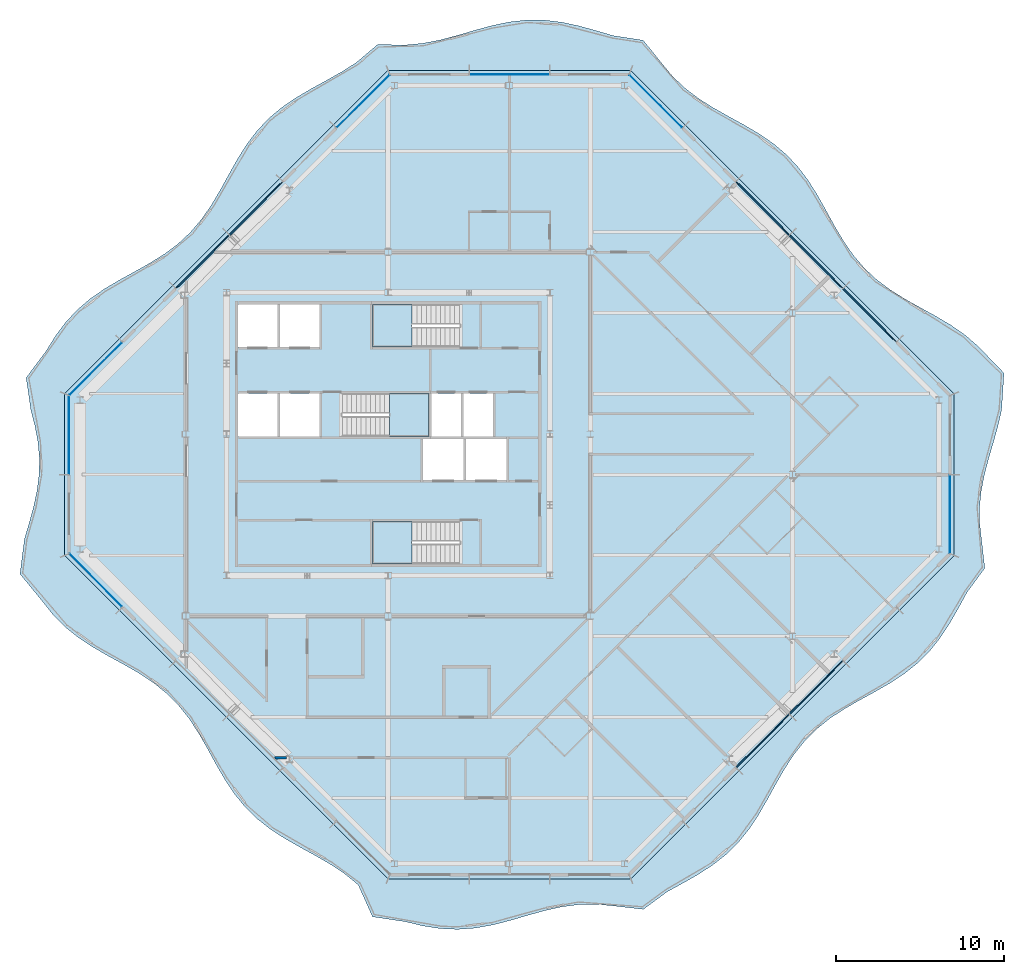
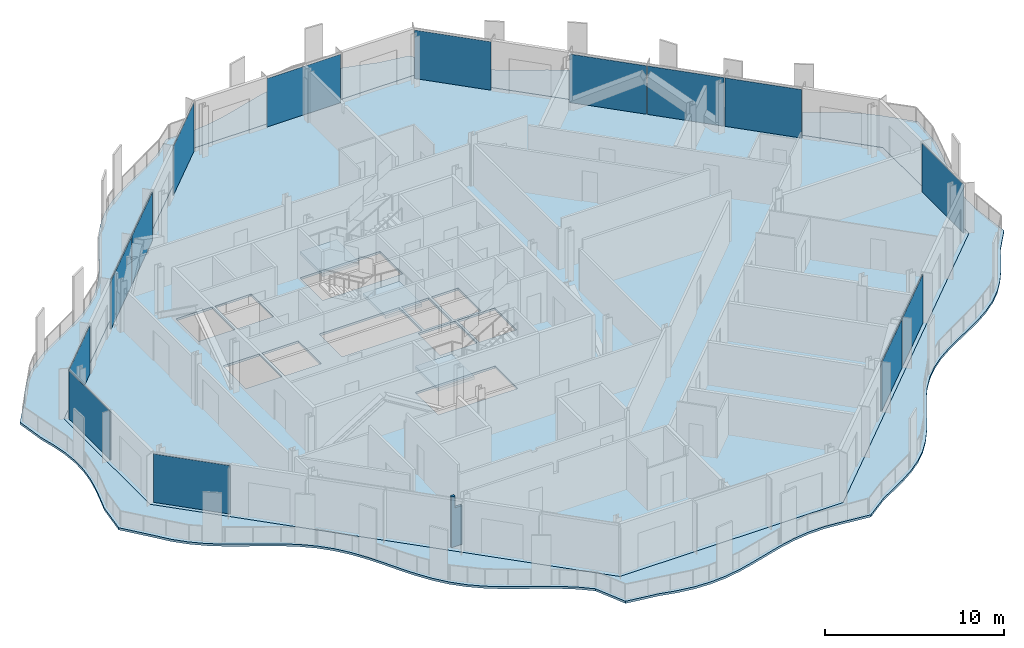
# One storey, part 6 of 17: 14 plates, 5 slabs, 1 wall, 10 elements without a shape of their own.
"""IFC4 building model written with IfcOpenShell, lengths in metres."""

from ifc_helpers import new_model, si_unit, direction, frame, origin, origin_2d, place, context, subcontext, project, spatial, polyline, rectangle, outline, extrude, material, layer, layer_set, type_object, element, aggregate, save


model = new_model("IFC4")

# Units and contexts
model_context = context("Model", 3, precision=1e-05, world=origin(), true_north=direction((0.0, 1.0)))
body_context = subcontext(model_context, "Body", "Model", "MODEL_VIEW")
ifc_project = project(units=[si_unit("LENGTHUNIT", "METRE"), si_unit("AREAUNIT", "SQUARE_METRE"), si_unit("VOLUMEUNIT", "CUBIC_METRE"), si_unit("PLANEANGLEUNIT", "RADIAN"), si_unit("MASSUNIT", "GRAM", prefix="KILO")], contexts=[model_context])

# Site, building, storey
site_placement = place(None, origin())
site = spatial("IfcSite", under=ifc_project, at=site_placement, CompositionType="ELEMENT")
building_placement = place(site_placement, origin())
building = spatial("IfcBuilding", under=site, at=building_placement, Name="Cairn Pilgrim Tower", CompositionType="ELEMENT")
storey_placement = place(building_placement, frame((0.0, 0.0, 281.39990234375)))
storey = spatial("IfcBuildingStorey", under=building, at=storey_placement, Name="L72", CompositionType="ELEMENT", Elevation=281.39990234375)

# Slabs
ifc_material_1 = material(Name="Concrete C35/45", Category="concrete")
ifc_layer_1 = layer(ifc_material_1, 0.14990234375)
ifc_layer_set_1 = layer_set([ifc_layer_1], Name="BALCONY SLAB 150 CONCRETE C35/45")
slab_type_1 = type_object("IfcSlabType", Name="BALCONY SLAB 150 CONCRETE C35/45", PredefinedType="FLOOR", material=ifc_layer_set_1)
slab_1_placement = place(storey_placement, frame((0.0, 0.0, -0.14990234375)))
element("IfcSlab", 1, at=slab_1_placement, inside=storey, type_object=slab_type_1, Name="Balcony slab BS-1", PredefinedType="FLOOR", context=body_context, shape_type="SweptSolid", body=[
    extrude(outline(polyline([(5.421875, -24.35595703125), (6.26806640625, -26.25), (8.228515625, -26.544677734375), (9.257080078125, -26.7919921875), (10.28564453125, -26.9521484375), (11.314208984375, -26.999267578125), (12.3427734375, -26.92578125), (13.371337890625, -26.743408203125), (14.39990234375, -26.481689453125), (15.428466796875, -26.182861328125), (16.45703125, -25.89453125), (17.485595703125, -25.66357421875), (18.514404296875, -25.527099609375), (19.54296875, -25.5068359375), (20.571533203125, -25.606201171875), (22.349365234375, -25.80908203125), (23.779541015625, -24.75732421875), (24.698486328125, -24.254150390625), (25.6044921875, -23.73779296875), (26.46728515625, -23.178466796875), (27.263671875, -22.552490234375), (27.980224609375, -21.846923828125), (28.61669921875, -21.06103515625), (29.183837890625, -20.2060546875), (29.704345703125, -19.304443359375), (30.20751953125, -18.38525390625), (30.72509765625, -17.480712890625), (31.287109375, -16.620361328125), (31.91650390625, -15.827392578125), (32.62548828125, -15.114501953125), (33.4150390625, -14.481689453125), (34.2724609375, -13.9169921875), (35.175537109375, -13.39794921875), (36.0947265625, -12.894775390625), (36.998046875, -12.375732421875), (37.855712890625, -11.811279296875), (38.645263671875, -11.178466796875), (39.3544921875, -10.465576171875), (39.98388671875, -9.6728515625), (40.546142578125, -8.812744140625), (41.063720703125, -7.908203125), (41.56689453125, -6.989013671875), (42.620361328125, -5.553955078125), (42.42431640625, -3.840087890625), (42.31591796875, -2.8798828125), (42.310791015625, -1.919921875), (42.409423828125, -0.9599609375), (42.597900390625, 0.0), (42.85009765625, 0.9599609375), (43.130126953125, 1.919921875), (43.399169921875, 2.8798828125), (43.618896484375, 3.840087890625), (43.7587890625, 6.025634765625), (42.209228515625, 7.63134765625), (41.444580078125, 8.2890625), (40.60693359375, 8.87353515625), (39.71533203125, 9.404052734375), (38.797607421875, 9.908935546875), (37.885986328125, 10.41943359375), (37.010986328125, 10.966552734375), (36.19775390625, 11.57568359375), (35.46240234375, 12.262451171875), (34.808349609375, 13.030517578125), (34.226806640625, 13.87109375), (33.697998046875, 14.7646484375), (33.193603515625, 15.6826171875), (32.68212890625, 16.59326171875), (32.132568359375, 17.466064453125), (31.520263671875, 18.27587890625), (30.829833984375, 19.007568359375), (30.05810546875, 19.658203125), (29.214599609375, 20.23681640625), (28.319580078125, 20.763916015625), (27.401123046875, 21.267822265625), (26.491455078125, 21.780517578125), (25.62109375, 22.332275390625), (24.814453125, 22.94775390625), (24.08642578125, 23.64208984375), (23.439453125, 24.417236328125), (22.340087890625, 25.787109375), (20.571533203125, 26.05615234375), (19.54296875, 26.3564453125), (18.514404296875, 26.6396484375), (17.485595703125, 26.860107421875), (16.45703125, 26.982421875), (15.428466796875, 26.98681640625), (14.39990234375, 26.87255859375), (13.371337890625, 26.658203125), (12.3427734375, 26.378173828125), (11.314208984375, 26.077392578125), (10.28564453125, 25.804443359375), (9.257080078125, 25.60302734375), (8.228515625, 25.506103515625), (6.56689453125, 25.528564453125), (5.31298828125, 24.46484375), (4.44287109375, 23.912841796875), (3.533203125, 23.400146484375), (2.614990234375, 22.896240234375), (1.719482421875, 22.369384765625), (0.875732421875, 21.791015625), (0.103515625, 21.140869140625), (-0.58740234375, 20.409423828125), (-1.199951171875, 19.60009765625), (-1.749755859375, 18.7275390625), (-2.261474609375, 17.81689453125), (-2.765625, 16.89892578125), (-3.294189453125, 16.00537109375), (-3.87548828125, 15.164306640625), (-4.529052734375, 14.395751953125), (-5.26416015625, 13.70849609375), (-6.076904296875, 13.09912109375), (-6.95166015625, 12.5517578125), (-7.86328125, 12.041015625), (-8.78076171875, 11.536376953125), (-9.672607421875, 11.005859375), (-10.5107421875, 10.421875), (-11.27587890625, 9.7646484375), (-11.959228515625, 9.02587890625), (-12.565673828125, 8.2099609375), (-13.11083984375, 7.3330078125), (-14.29150390625, 5.749267578125), (-14.012939453125, 3.840087890625), (-13.767822265625, 2.8798828125), (-13.590087890625, 1.919921875), (-13.505126953125, 0.9599609375), (-13.52490234375, 0.0), (-13.646484375, -0.9599609375), (-13.852783203125, -1.919921875), (-14.114990234375, -2.8798828125), (-14.39599609375, -3.840087890625), (-14.656494140625, -5.900390625), (-13.316650390625, -7.538818359375), (-12.687744140625, -8.33203125), (-11.978759765625, -9.04541015625), (-11.189697265625, -9.678466796875), (-10.332275390625, -10.243408203125), (-9.42919921875, -10.7626953125), (-8.510009765625, -11.265625), (-7.606689453125, -11.78466796875), (-6.7490234375, -12.348876953125), (-5.959228515625, -12.9814453125), (-5.24951171875, -13.69384765625), (-4.619873046875, -14.486572265625), (-4.0576171875, -15.346435546875), (-3.539794921875, -16.250732421875), (-3.03662109375, -17.169921875), (-2.516357421875, -18.07177734375), (-1.94921875, -18.927001953125), (-1.3134765625, -19.71337890625), (-0.59716796875, -20.41943359375), (0.19873046875, -21.045654296875), (1.061279296875, -21.60546875), (1.967041015625, -22.121826171875), (2.88623046875, -22.625), (3.786376953125, -23.146728515625), (4.638916015625, -23.716552734375), (5.421875, -24.35595703125)]), holes=[polyline([(21.60009765625, -24.0), (7.199951171875, -24.0), (-12.0, -4.800048828125), (-12.0, 4.800048828125), (7.199951171875, 24.0), (21.60009765625, 24.0), (40.800048828125, 4.800048828125), (40.800048828125, -4.800048828125), (21.60009765625, -24.0)])]), origin(), (0.0, 0.0, 1.0), 0.14990234375),
])
ifc_layer_2 = layer(ifc_material_1, 0.14990234375)
ifc_layer_set_2 = layer_set([ifc_layer_2], Name="COMPOSITE FLOOR SLAB 150")
slab_type_2 = type_object("IfcSlabType", Name="COMPOSITE FLOOR SLAB 150", PredefinedType="FLOOR", material=ifc_layer_set_2)
slab_2_placement = place(storey_placement, frame((0.0, 0.0, -0.14990234375)))
element("IfcSlab", 2, at=slab_2_placement, inside=storey, type_object=slab_type_2, Name="FLOOR SLAB L72", PredefinedType="FLOOR", context=body_context, shape_type="SweptSolid", body=[
    extrude(outline(polyline([(7.199951171875, -24.0), (21.60009765625, -24.0), (40.800048828125, -4.800048828125), (40.800048828125, 4.800048828125), (21.60009765625, 24.0), (7.199951171875, 24.0), (-12.0, 4.800048828125), (-12.0, -4.800048828125), (7.199951171875, -24.0)]), holes=[polyline([(9.27490234375, -0.324951171875), (11.675048828125, -0.324951171875), (11.675048828125, 2.125), (9.27490234375, 2.125), (9.27490234375, -0.324951171875)]), polyline([(11.824951171875, -0.324951171875), (14.22509765625, -0.324951171875), (14.22509765625, 2.125), (11.824951171875, 2.125), (11.824951171875, -0.324951171875)]), polyline([(-1.72509765625, 2.27490234375), (0.625, 2.27490234375), (0.625, 4.824951171875), (-1.72509765625, 4.824951171875), (-1.72509765625, 2.27490234375)]), polyline([(0.77490234375, 2.27490234375), (3.125, 2.27490234375), (3.125, 4.824951171875), (0.77490234375, 4.824951171875), (0.77490234375, 2.27490234375)]), polyline([(-1.72509765625, 7.574951171875), (0.625, 7.574951171875), (0.625, 10.10009765625), (-1.72509765625, 10.10009765625), (-1.72509765625, 7.574951171875)]), polyline([(0.77490234375, 7.574951171875), (3.125, 7.574951171875), (3.125, 10.10009765625), (0.77490234375, 10.10009765625), (0.77490234375, 7.574951171875)]), polyline([(9.77490234375, 2.27490234375), (11.52490234375, 2.27490234375), (11.52490234375, 4.824951171875), (9.77490234375, 4.824951171875), (9.77490234375, 2.27490234375)]), polyline([(11.675048828125, 2.27490234375), (13.425048828125, 2.27490234375), (13.425048828125, 4.824951171875), (11.675048828125, 4.824951171875), (11.675048828125, 2.27490234375)]), polyline([(11.424560546875, -2.77490234375), (6.27490234375, -2.77490234375), (6.27490234375, -5.300048828125), (11.424560546875, -5.300048828125), (11.424560546875, -2.77490234375)]), polyline([(4.4755859375, 2.27490234375), (9.625, 2.27490234375), (9.625, 4.824951171875), (4.4755859375, 4.824951171875), (4.4755859375, 2.27490234375)]), polyline([(11.424560546875, 10.10009765625), (6.27490234375, 10.10009765625), (6.27490234375, 7.574951171875), (11.424560546875, 7.574951171875), (11.424560546875, 10.10009765625)])]), origin(), (0.0, 0.0, 1.0), 0.14990234375),
])

# Curtain wall, plates
ifc_material_2 = material(Name="Aluminium alloy 6063-T6 bronze anodised with Bronze tinted laminated low-E glass 8+16+8.8", Category="aluminium")
curtain_wall_type = type_object("IfcCurtainWallType", Name="CROWN CURTAIN WALL", PredefinedType="NOTDEFINED", material=ifc_material_2)
curtain_wall_1_placement = place(storey_placement, origin())
curtain_wall_1 = element("IfcCurtainWall", 3, at=curtain_wall_1_placement, inside=storey, type_object=curtain_wall_type, Name="Crown Curtain Wall SE", PredefinedType="NOTDEFINED")
ifc_material_3 = material(Name="Bronze anodised aluminium spandrel panel with mineral wool insulation", Category="aluminium")
ifc_layer_3 = layer(ifc_material_3, 0.06005859375)
ifc_layer_set_3 = layer_set([ifc_layer_3], Name="SPANDREL PANEL 4431x3300")
plate_type_1 = type_object("IfcPlateType", Name="SPANDREL PANEL 4431x3300", PredefinedType="CURTAIN_PANEL", material=ifc_layer_set_3)
plate_1_placement = place(storey_placement, frame((29.435546875, -15.81103515625, 0.0), z_axis=(0.0, 0.0, 1.0), x_axis=(0.707106781187, 0.707106781187, 0.0)))
plate_1 = element("IfcPlate", 4, at=plate_1_placement, type_object=plate_type_1, Name="Spandrel Panel SE3-1", PredefinedType="CURTAIN_PANEL", context=body_context, shape_type="SweptSolid", body=[
    extrude(rectangle(XDim=4.430908203125, YDim=0.06005859375, at=origin_2d()), origin(), (0.0, 0.0, 1.0), 3.300048828125),
])
plate_2_placement = place(storey_placement, frame((32.611083984375, -12.635498046875, 0.0), z_axis=(0.0, 0.0, 1.0), x_axis=(0.707106781187, 0.707106781187, 0.0)))
plate_2 = element("IfcPlate", 5, at=plate_2_placement, type_object=plate_type_1, Name="Spandrel Panel SE4-1", PredefinedType="CURTAIN_PANEL", context=body_context, shape_type="SweptSolid", body=[
    extrude(rectangle(XDim=4.430908203125, YDim=0.06005859375, at=origin_2d()), origin(), (0.0, 0.0, 1.0), 3.300048828125),
])
aggregate(curtain_wall_1, [plate_1, plate_2])

curtain_wall_2_placement = place(storey_placement, origin())
curtain_wall_2 = element("IfcCurtainWall", 6, at=curtain_wall_2_placement, inside=storey, type_object=curtain_wall_type, Name="Crown Curtain Wall NE", PredefinedType="NOTDEFINED")
plate_3_placement = place(storey_placement, frame((35.78662109375, 9.459716796875, 0.0), z_axis=(0.0, 0.0, 1.0), x_axis=(-0.707106781187, 0.707106781187, 0.0)))
plate_3 = element("IfcPlate", 7, at=plate_3_placement, type_object=plate_type_1, Name="Spandrel Panel NE2-1", PredefinedType="CURTAIN_PANEL", context=body_context, shape_type="SweptSolid", body=[
    extrude(rectangle(XDim=4.430908203125, YDim=0.06005859375, at=origin_2d()), origin(), (0.0, 0.0, 1.0), 3.300048828125),
])
plate_4_placement = place(storey_placement, frame((32.611083984375, 12.635498046875, 0.0), z_axis=(0.0, 0.0, 1.0), x_axis=(-0.707106781187, 0.707106781187, 0.0)))
plate_4 = element("IfcPlate", 8, at=plate_4_placement, type_object=plate_type_1, Name="Spandrel Panel NE3-1", PredefinedType="CURTAIN_PANEL", context=body_context, shape_type="SweptSolid", body=[
    extrude(rectangle(XDim=4.430908203125, YDim=0.06005859375, at=origin_2d()), origin(), (0.0, 0.0, 1.0), 3.300048828125),
])
plate_5_placement = place(storey_placement, frame((29.435546875, 15.81103515625, 0.0), z_axis=(0.0, 0.0, 1.0), x_axis=(-0.707106781187, 0.707106781187, 0.0)))
plate_5 = element("IfcPlate", 9, at=plate_5_placement, type_object=plate_type_1, Name="Spandrel Panel NE4-1", PredefinedType="CURTAIN_PANEL", context=body_context, shape_type="SweptSolid", body=[
    extrude(rectangle(XDim=4.430908203125, YDim=0.06005859375, at=origin_2d()), origin(), (0.0, 0.0, 1.0), 3.300048828125),
])

curtain_wall_3_placement = place(storey_placement, origin())
curtain_wall_3 = element("IfcCurtainWall", 10, at=curtain_wall_3_placement, inside=storey, type_object=curtain_wall_type, Name="Crown Curtain Wall NW", PredefinedType="NOTDEFINED")
plate_6_placement = place(storey_placement, frame((-0.635498046875, 15.81103515625, 0.0), z_axis=(0.0, 0.0, 1.0), x_axis=(-0.707106781187, -0.707106781187, 0.0)))
plate_6 = element("IfcPlate", 11, at=plate_6_placement, type_object=plate_type_1, Name="Spandrel Panel NW3-1", PredefinedType="CURTAIN_PANEL", context=body_context, shape_type="SweptSolid", body=[
    extrude(rectangle(XDim=4.430908203125, YDim=0.06005859375, at=origin_2d()), origin(), (0.0, 0.0, 1.0), 3.300048828125),
])
plate_7_placement = place(storey_placement, frame((-3.81103515625, 12.635498046875, 0.0), z_axis=(0.0, 0.0, 1.0), x_axis=(-0.707106781187, -0.707106781187, 0.0)))
plate_7 = element("IfcPlate", 12, at=plate_7_placement, type_object=plate_type_1, Name="Spandrel Panel NW4-1", PredefinedType="CURTAIN_PANEL", context=body_context, shape_type="SweptSolid", body=[
    extrude(rectangle(XDim=4.430908203125, YDim=0.06005859375, at=origin_2d()), origin(), (0.0, 0.0, 1.0), 3.300048828125),
])

# Stair, slab
ifc_material_4 = material(Name="Concrete C32/40", Category="concrete")
stair_type = type_object("IfcStairType", Name="EXIT STAIR 1200", PredefinedType="HALF_TURN_STAIR", material=ifc_material_4)
stair_1_placement = place(storey_placement, origin())
stair_1 = element("IfcStair", 13, at=stair_1_placement, inside=storey, type_object=stair_type, Name="L72 Exit Stair A", PredefinedType="HALF_TURN_STAIR")
ifc_layer_4 = layer(ifc_material_4, 0.199951171875)
ifc_layer_set_4 = layer_set([ifc_layer_4], Name="STAIR LANDING 200")
slab_type_3 = type_object("IfcSlabType", Name="STAIR LANDING 200", PredefinedType="LANDING", material=ifc_layer_set_4)
slab_3_placement = place(storey_placement, frame((0.0, 0.0, 1.60009765625)))
slab_3 = element("IfcSlab", 14, at=slab_3_placement, type_object=slab_type_3, Name="ST-A landing 1", PredefinedType="LANDING", context=body_context, shape_type="SweptSolid", body=[
    extrude(outline(polyline([(8.625, -2.77490234375), (6.27490234375, -2.77490234375), (6.27490234375, -5.300048828125), (8.625, -5.300048828125), (8.625, -2.77490234375)])), origin(), (0.0, 0.0, 1.0), 0.199951171875),
])
aggregate(stair_1, [slab_3])

stair_2_placement = place(storey_placement, origin())
stair_2 = element("IfcStair", 15, at=stair_2_placement, inside=storey, type_object=stair_type, Name="L72 Exit Stair B", PredefinedType="HALF_TURN_STAIR")
slab_4_placement = place(storey_placement, frame((0.0, 0.0, 1.60009765625)))
slab_4 = element("IfcSlab", 16, at=slab_4_placement, type_object=slab_type_3, Name="ST-B landing 1", PredefinedType="LANDING", context=body_context, shape_type="SweptSolid", body=[
    extrude(outline(polyline([(7.27490234375, 2.27490234375), (9.625, 2.27490234375), (9.625, 4.824951171875), (7.27490234375, 4.824951171875), (7.27490234375, 2.27490234375)])), origin(), (0.0, 0.0, 1.0), 0.199951171875),
])
aggregate(stair_2, [slab_4])

stair_3_placement = place(storey_placement, origin())
stair_3 = element("IfcStair", 17, at=stair_3_placement, inside=storey, type_object=stair_type, Name="L72 Exit Stair C", PredefinedType="HALF_TURN_STAIR")
slab_5_placement = place(storey_placement, frame((0.0, 0.0, 1.60009765625)))
slab_5 = element("IfcSlab", 18, at=slab_5_placement, type_object=slab_type_3, Name="ST-C landing 1", PredefinedType="LANDING", context=body_context, shape_type="SweptSolid", body=[
    extrude(outline(polyline([(8.625, 10.10009765625), (6.27490234375, 10.10009765625), (6.27490234375, 7.574951171875), (8.625, 7.574951171875), (8.625, 10.10009765625)])), origin(), (0.0, 0.0, 1.0), 0.199951171875),
])
aggregate(stair_3, [slab_5])

# Plate
ifc_material_5 = material(Name="Bronze tinted laminated low-E glass 8+16+8.8", Category="glass")
ifc_layer_5 = layer(ifc_material_5, 0.033935546875)
ifc_layer_set_5 = layer_set([ifc_layer_5], Name="VISION GLAZING 4421x3300")
plate_type_2 = type_object("IfcPlateType", Name="VISION GLAZING 4421x3300", PredefinedType="CURTAIN_PANEL", material=ifc_layer_set_5)
plate_8_placement = place(storey_placement, frame((23.087890625, 22.15869140625, 0.0), z_axis=(0.0, 0.0, 1.0), x_axis=(-0.707106781187, 0.707106781187, 0.0)))
plate_8 = element("IfcPlate", 19, at=plate_8_placement, type_object=plate_type_2, Name="Vision Glazing NE6-1", PredefinedType="CURTAIN_PANEL", context=body_context, shape_type="SweptSolid", body=[
    extrude(rectangle(XDim=4.4208984375, YDim=0.033935546875, at=origin_2d()), origin(), (0.0, 0.0, 1.0), 3.300048828125),
])

aggregate(curtain_wall_2, [plate_3, plate_4, plate_5, plate_8])

plate_9_placement = place(storey_placement, frame((5.712158203125, 22.15869140625, 0.0), z_axis=(0.0, 0.0, 1.0), x_axis=(-0.707106781187, -0.707106781187, 0.0)))
plate_9 = element("IfcPlate", 20, at=plate_9_placement, type_object=plate_type_2, Name="Vision Glazing NW1-1", PredefinedType="CURTAIN_PANEL", context=body_context, shape_type="SweptSolid", body=[
    extrude(rectangle(XDim=4.4208984375, YDim=0.033935546875, at=origin_2d()), origin(), (0.0, 0.0, 1.0), 3.300048828125),
])

plate_10_placement = place(storey_placement, frame((-10.15869140625, 6.287841796875, 0.0), z_axis=(0.0, 0.0, 1.0), x_axis=(-0.707106781187, -0.707106781187, 0.0)))
plate_10 = element("IfcPlate", 21, at=plate_10_placement, type_object=plate_type_2, Name="Vision Glazing NW6-1", PredefinedType="CURTAIN_PANEL", context=body_context, shape_type="SweptSolid", body=[
    extrude(rectangle(XDim=4.4208984375, YDim=0.033935546875, at=origin_2d()), origin(), (0.0, 0.0, 1.0), 3.300048828125),
])

aggregate(curtain_wall_3, [plate_9, plate_6, plate_7, plate_10])

# Curtain wall, plate
curtain_wall_4_placement = place(storey_placement, origin())
curtain_wall_4 = element("IfcCurtainWall", 22, at=curtain_wall_4_placement, inside=storey, type_object=curtain_wall_type, Name="Crown Curtain Wall SW", PredefinedType="NOTDEFINED")
plate_11_placement = place(storey_placement, frame((-10.15869140625, -6.287841796875, 0.0), z_axis=(0.0, 0.0, 1.0), x_axis=(0.707106781187, -0.707106781187, 0.0)))
plate_11 = element("IfcPlate", 23, at=plate_11_placement, type_object=plate_type_2, Name="Vision Glazing SW1-1", PredefinedType="CURTAIN_PANEL", context=body_context, shape_type="SweptSolid", body=[
    extrude(rectangle(XDim=4.4208984375, YDim=0.033935546875, at=origin_2d()), origin(), (0.0, 0.0, 1.0), 3.300048828125),
])
aggregate(curtain_wall_4, [plate_11])

curtain_wall_5_placement = place(storey_placement, origin())
curtain_wall_5 = element("IfcCurtainWall", 24, at=curtain_wall_5_placement, inside=storey, type_object=curtain_wall_type, Name="Crown Curtain Wall E", PredefinedType="NOTDEFINED")
ifc_layer_6 = layer(ifc_material_5, 0.033935546875)
ifc_layer_set_6 = layer_set([ifc_layer_6], Name="VISION GLAZING 4626x3300")
plate_type_3 = type_object("IfcPlateType", Name="VISION GLAZING 4626x3300", PredefinedType="CURTAIN_PANEL", material=ifc_layer_set_6)
plate_12_placement = place(storey_placement, frame((40.550048828125, -2.34326171875, 0.0), z_axis=(0.0, 0.0, 1.0), x_axis=(0.0, 1.0, 0.0)))
plate_12 = element("IfcPlate", 25, at=plate_12_placement, type_object=plate_type_3, Name="Vision Glazing E1-1", PredefinedType="CURTAIN_PANEL", context=body_context, shape_type="SweptSolid", body=[
    extrude(rectangle(XDim=4.62646484375, YDim=0.033935546875, at=origin_2d()), origin(), (0.0, 0.0, 1.0), 3.300048828125),
])
aggregate(curtain_wall_5, [plate_12])

curtain_wall_6_placement = place(storey_placement, origin())
curtain_wall_6 = element("IfcCurtainWall", 26, at=curtain_wall_6_placement, inside=storey, type_object=curtain_wall_type, Name="Crown Curtain Wall W", PredefinedType="NOTDEFINED")
plate_13_placement = place(storey_placement, frame((-11.75, 2.34326171875, 0.0), z_axis=(0.0, 0.0, 1.0), x_axis=(0.0, -1.0, 0.0)))
plate_13 = element("IfcPlate", 27, at=plate_13_placement, type_object=plate_type_3, Name="Vision Glazing W1-1", PredefinedType="CURTAIN_PANEL", context=body_context, shape_type="SweptSolid", body=[
    extrude(rectangle(XDim=4.62646484375, YDim=0.033935546875, at=origin_2d()), origin(), (0.0, 0.0, 1.0), 3.300048828125),
])
aggregate(curtain_wall_6, [plate_13])

curtain_wall_7_placement = place(storey_placement, origin())
curtain_wall_7 = element("IfcCurtainWall", 28, at=curtain_wall_7_placement, inside=storey, type_object=curtain_wall_type, Name="Crown Curtain Wall N", PredefinedType="NOTDEFINED")
ifc_layer_7 = layer(ifc_material_5, 0.033935546875)
ifc_layer_set_7 = layer_set([ifc_layer_7], Name="VISION GLAZING 4740x3300")
plate_type_4 = type_object("IfcPlateType", Name="VISION GLAZING 4740x3300", PredefinedType="CURTAIN_PANEL", material=ifc_layer_set_7)
plate_14_placement = place(storey_placement, frame((14.39990234375, 23.75, 0.0), z_axis=(0.0, 0.0, 1.0), x_axis=(-1.0, 0.0, 0.0)))
plate_14 = element("IfcPlate", 29, at=plate_14_placement, type_object=plate_type_4, Name="Vision Glazing N2-1", PredefinedType="CURTAIN_PANEL", context=body_context, shape_type="SweptSolid", body=[
    extrude(rectangle(XDim=4.739990234375, YDim=0.033935546875, at=origin_2d()), origin(), (0.0, 0.0, 1.0), 3.300048828125),
])
aggregate(curtain_wall_7, [plate_14])

# Wall
ifc_material_6 = material(Name="Gypsum partition")
ifc_layer_8 = layer(ifc_material_6, 0.14990234375)
ifc_layer_set_8 = layer_set([ifc_layer_8], Name="PARTITION 150 DRYWALL EI 60")
wall_type = type_object("IfcWallType", Name="PARTITION 150 DRYWALL EI 60", PredefinedType="PARTITIONING", material=ifc_layer_set_8)
wall_placement = place(storey_placement, frame((0.473876953125, -16.800048828125, 0.0), z_axis=(0.0, 0.0, 1.0), x_axis=(1.0, 0.0, 0.0)))
element("IfcWall", 30, at=wall_placement, inside=storey, type_object=wall_type, Name="PARTITION W008", PredefinedType="PARTITIONING", context=body_context, shape_type="SweptSolid", body=[
    extrude(outline(polyline([(0.0, 0.0), (0.67919921875, 0.0), (0.67919921875, 2.630126953125), (0.22900390625, 2.630126953125), (0.226806640625, 3.4501953125), (0.0, 3.4501953125), (0.0, 0.0)])), frame((0.0, 0.074951171875, 0.0), z_axis=(0.0, -1.0, 0.0), x_axis=(1.0, 0.0, 0.0)), (0.0, 0.0, 1.0), 0.14990234375),
])

save(model, "model.ifc")
